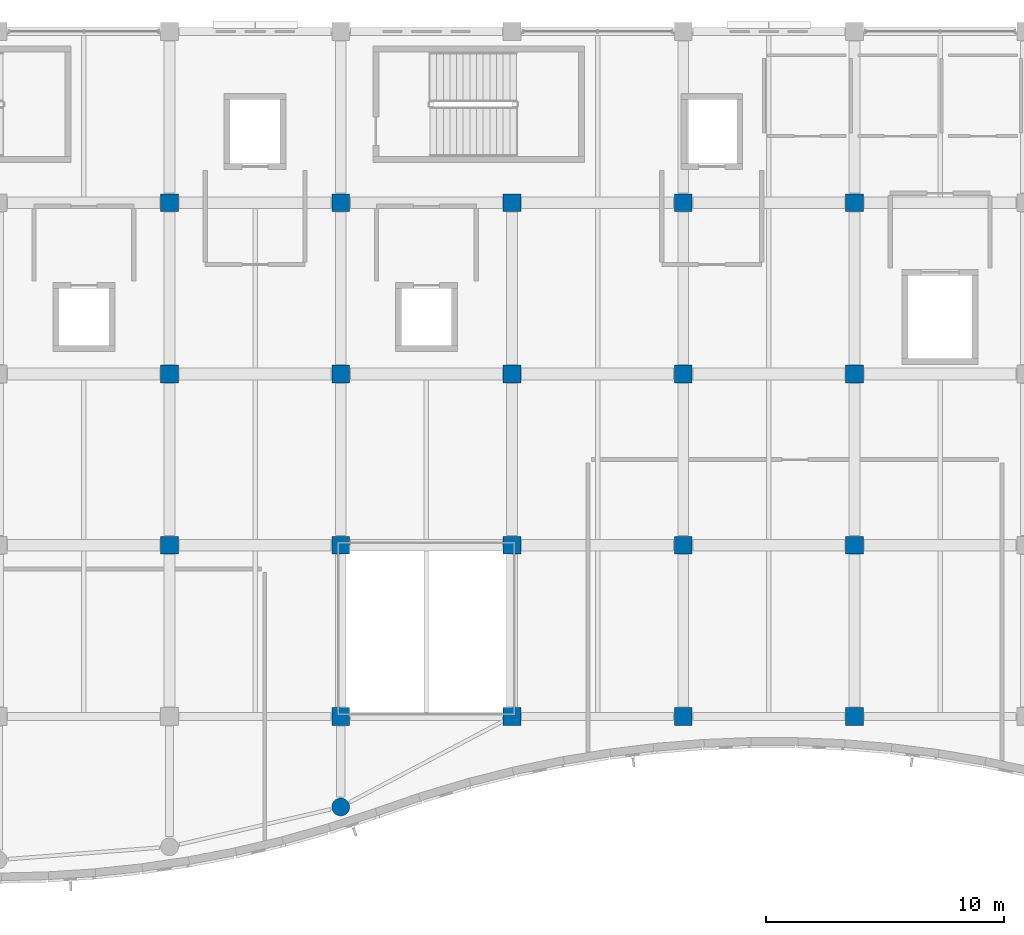
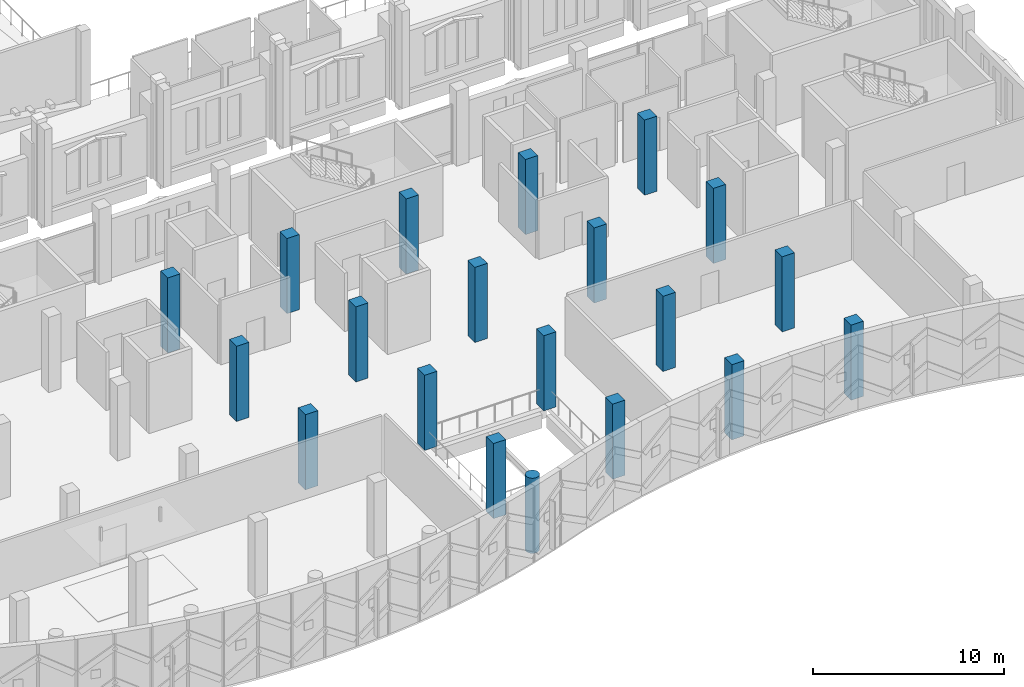
# One storey, part 11 of 193: 20 columns.
"""IFC4 building model written with IfcOpenShell, lengths in metres."""

from ifc_helpers import new_model, si_unit, direction, frame, origin, origin_2d, place, context, subcontext, project, spatial, rectangle, circle, extrude, material, material_profile, profile_set, type_object, element, save


model = new_model("IFC4")

# Units and contexts
model_context = context("Model", 3, precision=1e-05, world=origin(), true_north=direction((0.0, 1.0)))
body_context = subcontext(model_context, "Body", "Model", "MODEL_VIEW")
ifc_project = project(units=[si_unit("LENGTHUNIT", "METRE"), si_unit("AREAUNIT", "SQUARE_METRE"), si_unit("VOLUMEUNIT", "CUBIC_METRE"), si_unit("PLANEANGLEUNIT", "RADIAN"), si_unit("MASSUNIT", "GRAM", prefix="KILO")], contexts=[model_context])

# Site, building, storey
site_placement = place(None, origin())
site = spatial("IfcSite", under=ifc_project, at=site_placement, CompositionType="ELEMENT")
building_placement = place(site_placement, origin())
building = spatial("IfcBuilding", under=site, at=building_placement, Name="Cendralis Lancet Convention Centre", CompositionType="ELEMENT")
storey_placement = place(building_placement, frame((0.0, 0.0, 10.199951171875)))
storey = spatial("IfcBuildingStorey", under=building, at=storey_placement, Name="L02", CompositionType="ELEMENT", Elevation=10.199951171875)

# Columns
ifc_material = material(Name="Concrete G40 (C40/50)", Category="concrete")
ifc_material_profile_1 = material_profile(ifc_material, rectangle(XDim=0.75, YDim=0.75, at=origin_2d()), Name="RC 750x750")
ifc_profile_set_1 = profile_set([ifc_material_profile_1], Name="Concrete G40 (C40/50)")
column_type_1 = type_object("IfcColumnType", Name="STR-COL-C06-INT", PredefinedType="COLUMN", material=ifc_profile_set_1)
for number, where, z_axis, x_axis, name in (
    (1, (160.800048828125, 14.39990234375, 0.0), (0.0, 0.0, 1.0), (1.0, 0.0, 0.0), "L02 Column C06 at 160.8,14.4"),
    (2, (160.800048828125, 21.60009765625, 0.0), (0.0, 0.0, 1.0), (1.0, 0.0, 0.0), "L02 Column C06 at 160.8,21.6"),
    (3, (160.800048828125, 28.800048828125, 0.0), (0.0, 0.0, 1.0), (1.0, 0.0, 0.0), "L02 Column C06 at 160.8,28.8"),
    (4, (168.0, 7.199951171875, 0.0), (0.0, 0.0, 1.0), (1.0, 0.0, 0.0), "L02 Column C06 at 168.0,7.2"),
    (5, (168.0, 14.39990234375, 0.0), (0.0, 0.0, 1.0), (1.0, 0.0, 0.0), "L02 Column C06 at 168.0,14.4"),
    (6, (168.0, 21.60009765625, 0.0), (0.0, 0.0, 1.0), (1.0, 0.0, 0.0), "L02 Column C06 at 168.0,21.6"),
    (7, (168.0, 28.800048828125, 0.0), (0.0, 0.0, 1.0), (1.0, 0.0, 0.0), "L02 Column C06 at 168.0,28.8"),
    (8, (175.199951171875, 7.199951171875, 0.0), (0.0, 0.0, 1.0), (1.0, 0.0, 0.0), "L02 Column C06 at 175.2,7.2"),
    (9, (175.199951171875, 14.39990234375, 0.0), (0.0, 0.0, 1.0), (1.0, 0.0, 0.0), "L02 Column C06 at 175.2,14.4"),
    (10, (175.199951171875, 21.60009765625, 0.0), (0.0, 0.0, 1.0), (1.0, 0.0, 0.0), "L02 Column C06 at 175.2,21.6"),
    (11, (175.199951171875, 28.800048828125, 0.0), (0.0, 0.0, 1.0), (1.0, 0.0, 0.0), "L02 Column C06 at 175.2,28.8"),
    (12, (182.39990234375, 7.199951171875, 0.0), (0.0, 0.0, 1.0), (1.0, 0.0, 0.0), "L02 Column C06 at 182.4,7.2"),
    (13, (182.39990234375, 14.39990234375, 0.0), (0.0, 0.0, 1.0), (1.0, 0.0, 0.0), "L02 Column C06 at 182.4,14.4"),
    (14, (182.39990234375, 21.60009765625, 0.0), (0.0, 0.0, 1.0), (1.0, 0.0, 0.0), "L02 Column C06 at 182.4,21.6"),
    (15, (182.39990234375, 28.800048828125, 0.0), (0.0, 0.0, 1.0), (1.0, 0.0, 0.0), "L02 Column C06 at 182.4,28.8"),
    (16, (189.60009765625, 7.199951171875, 0.0), (0.0, 0.0, 1.0), (1.0, 0.0, 0.0), "L02 Column C06 at 189.6,7.2"),
    (17, (189.60009765625, 14.39990234375, 0.0), (0.0, 0.0, 1.0), (1.0, 0.0, 0.0), "L02 Column C06 at 189.6,14.4"),
    (18, (189.60009765625, 21.60009765625, 0.0), (0.0, 0.0, 1.0), (1.0, 0.0, 0.0), "L02 Column C06 at 189.6,21.6"),
    (19, (189.60009765625, 28.800048828125, 0.0), (0.0, 0.0, 1.0), (1.0, 0.0, 0.0), "L02 Column C06 at 189.6,28.8"),
):
    element("IfcColumn", number, at=place(storey_placement, frame(where, z_axis=z_axis, x_axis=x_axis)), inside=storey, type_object=column_type_1, Name=name, PredefinedType="COLUMN", context=body_context, shape_type="SweptSolid", body=[
        extrude(rectangle(XDim=0.75, YDim=0.75, at=origin_2d()), origin(), (0.0, 0.0, 1.0), 4.800048828125),
    ])
ifc_material_profile_2 = material_profile(ifc_material, circle(Radius=0.375, at=origin_2d()), Name="RC D750")
ifc_profile_set_2 = profile_set([ifc_material_profile_2], Name="Concrete G40 (C40/50)")
column_type_2 = type_object("IfcColumnType", Name="STR-COL-C18", PredefinedType="COLUMN", material=ifc_profile_set_2)
column_placement = place(storey_placement, frame((168.0, 3.396240234375, 0.0), z_axis=(0.0, 0.0, 1.0), x_axis=(1.0, 0.0, 0.0)))
element("IfcColumn", 20, at=column_placement, inside=storey, type_object=column_type_2, Name="L02 Column C18 at 168.0,3.4", PredefinedType="COLUMN", context=body_context, shape_type="SweptSolid", body=[
    extrude(circle(Radius=0.375, at=origin_2d()), origin(), (0.0, 0.0, 1.0), 4.800048828125),
])

save(model, "model.ifc")
